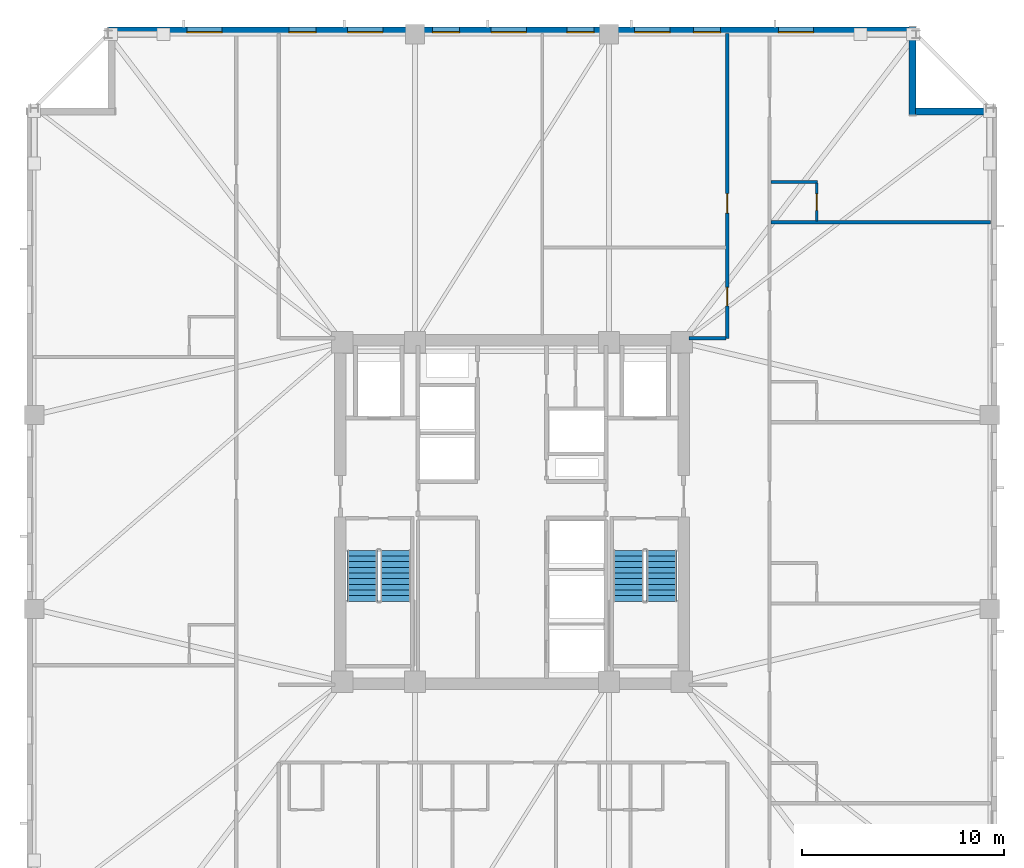
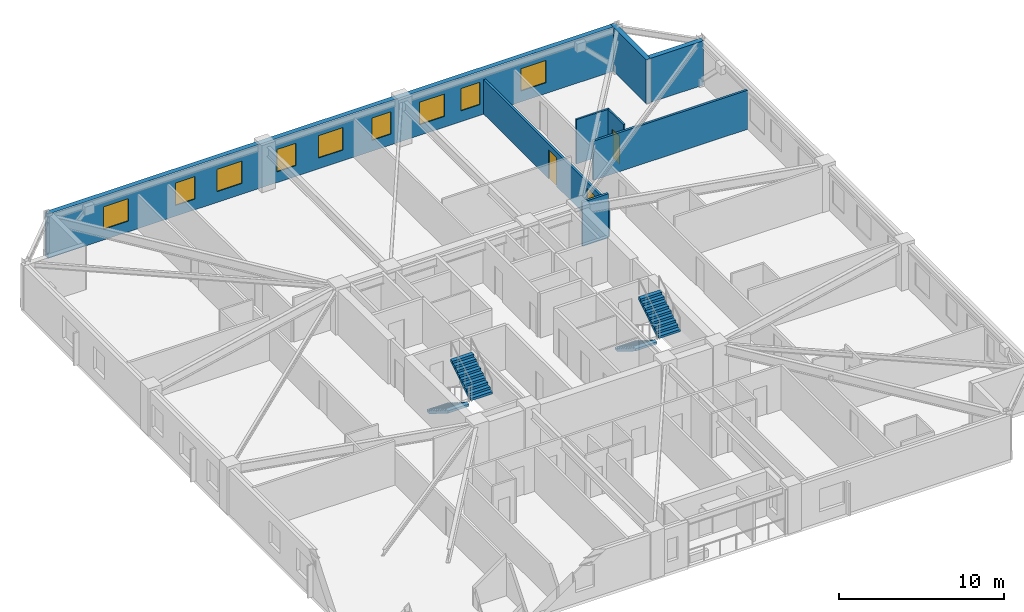
# One storey, part 6 of 11: 9 windows, 8 walls, 4 stair flights, 3 doors, 12 openings, 2 elements without a shape of their own.
"""IFC4 building model written with IfcOpenShell, lengths in metres."""

import ifcopenshell
import ifcopenshell.guid

model = None  # the IFC model being written
_history = None  # IfcOwnerHistory: only IFC2X3 demands one
_inside = {}  # id of a spatial element -> (the spatial element, [elements in it])
_under = {}  # id of a project, library or spatial element -> (it, [spatial elements below it])
_declared = {}  # id of a project -> (the project, [libraries it declares])
_typed = {}  # id of a type object -> (the type object, [elements of that type])
_made_of = {}  # id of a material, layer set ... -> (it, [elements and type objects made of it])


def new_model(schema):
    """Start an empty IFC model of exactly this schema.

    Asked for "IFC4X3", IfcOpenShell would pick the latest addendum, in which some entities
    have other attributes; the version numbers below select the first issue.
    IFC2X3 requires an IfcOwnerHistory on every rooted entity: one is made here for all.
    """
    global model, _history
    if schema == "IFC4X3":
        model = ifcopenshell.file(schema_version=(4, 3, 0, 0))
    else:
        model = ifcopenshell.file(schema=schema)
    _inside.clear()
    _under.clear()
    _declared.clear()
    _typed.clear()
    _made_of.clear()
    _history = None
    if model.schema == "IFC2X3":
        org = make("IfcOrganization", Name="unknown")
        user = make(
            "IfcPersonAndOrganization",
            ThePerson=make("IfcPerson", FamilyName="unknown"),
            TheOrganization=org,
        )
        app = make(
            "IfcApplication",
            ApplicationDeveloper=org,
            Version="unknown",
            ApplicationFullName="unknown",
            ApplicationIdentifier="unknown",
        )
        _history = make(
            "IfcOwnerHistory",
            OwningUser=user,
            OwningApplication=app,
            ChangeAction="ADDED",
            CreationDate=0,
        )
    return model


def make(cls, **values):
    """One entity of the class cls with the attributes given. An attribute that is None is left unset."""
    return model.create_entity(
        cls, **{name: value for name, value in values.items() if value is not None}
    )


def rooted(cls, **values):
    """An entity with a GlobalId (a new one), such as an element, a storey or a relation."""
    return make(cls, GlobalId=ifcopenshell.guid.new(), OwnerHistory=_history, **values)


def si_unit(unit_type, name, prefix=None):
    """IfcSIUnit, for example si_unit("LENGTHUNIT", "METRE", prefix="MILLI")."""
    return make("IfcSIUnit", UnitType=unit_type, Prefix=prefix, Name=name)


def assignment(units):
    """IfcUnitAssignment: the units of a project."""
    return None if units is None else make("IfcUnitAssignment", Units=units)


def point(xyz):
    """IfcCartesianPoint."""
    return None if xyz is None else make("IfcCartesianPoint", Coordinates=xyz)


def direction(xyz):
    """IfcDirection."""
    return None if xyz is None else make("IfcDirection", DirectionRatios=xyz)


def frame(location, z_axis=None, x_axis=None):
    """IfcAxis2Placement3D, a coordinate frame: its origin and axes. An axis left out is left unset."""
    return make(
        "IfcAxis2Placement3D",
        Location=point(location),
        Axis=direction(z_axis),
        RefDirection=direction(x_axis),
    )


def frame_2d(location, x_axis=None):
    """IfcAxis2Placement2D, a coordinate frame in the plane: its origin and x axis."""
    return make(
        "IfcAxis2Placement2D", Location=point(location), RefDirection=direction(x_axis)
    )


def origin():
    """The frame at (0, 0, 0) with its axes left unset."""
    return frame((0.0, 0.0, 0.0))


def place(relative_to, where):
    """IfcLocalPlacement: puts the frame where relative to a parent placement (None: the world)."""
    return make(
        "IfcLocalPlacement", PlacementRelTo=relative_to, RelativePlacement=where
    )


def context(
    kind, dimensions, precision=None, world=None, true_north=None, identifier=None
):
    """IfcGeometricRepresentationContext, for example the 3D "Model" context."""
    return make(
        "IfcGeometricRepresentationContext",
        ContextIdentifier=identifier,
        ContextType=kind,
        CoordinateSpaceDimension=dimensions,
        Precision=precision,
        WorldCoordinateSystem=world,
        TrueNorth=true_north,
    )


def subcontext(parent, identifier, kind, view, scale=None):
    """IfcGeometricRepresentationSubContext, for example "Body" below "Model"."""
    return make(
        "IfcGeometricRepresentationSubContext",
        ContextIdentifier=identifier,
        ContextType=kind,
        ParentContext=parent,
        TargetScale=scale,
        TargetView=view,
    )


def project(units=None, contexts=None):
    """IfcProject with its units and contexts."""
    return rooted(
        "IfcProject",
        Name="project",
        RepresentationContexts=contexts,
        UnitsInContext=assignment(units),
    )


def spatial(cls, under=None, at=None, **own):
    """A site, building, storey or space (cls), placed at a placement, below another one or the project."""
    s = rooted(cls, ObjectPlacement=at, **own)
    if under is not None:
        _under.setdefault(under.id(), (under, []))[1].append(s)
    return s


def polyline(points):
    """IfcPolyline through the points."""
    return make("IfcPolyline", Points=[point(p) for p in points])


def profile(cls, at=None, kind="AREA", **sizes):
    """A parametric profile (cls). Its sizes go by their IFC names, for example OverallWidth=200.0."""
    return make(cls, ProfileType=kind, Position=at, **sizes)


def rectangle(**sizes):
    """IfcRectangleProfileDef."""
    return profile("IfcRectangleProfileDef", **sizes)


def outline(outer, holes=None, kind="AREA"):
    """IfcArbitraryClosedProfileDef: a profile drawn as a closed curve; with holes, ...WithVoids."""
    if holes is None:
        return make("IfcArbitraryClosedProfileDef", ProfileType=kind, OuterCurve=outer)
    return make(
        "IfcArbitraryProfileDefWithVoids",
        ProfileType=kind,
        OuterCurve=outer,
        InnerCurves=holes,
    )


def extrude(swept, where, along, depth):
    """IfcExtrudedAreaSolid: the profile swept, set in the frame where, extruded along a direction by depth."""
    return make(
        "IfcExtrudedAreaSolid",
        SweptArea=swept,
        Position=where,
        ExtrudedDirection=direction(along),
        Depth=depth,
    )


def shape(context_of_items, identifier, shape_type, items):
    """IfcShapeRepresentation: the items that make up one representation, for example the "Body"."""
    return make(
        "IfcShapeRepresentation",
        ContextOfItems=context_of_items,
        RepresentationIdentifier=identifier,
        RepresentationType=shape_type,
        Items=items,
    )


def material(Name=None, Category=None):
    """IfcMaterial."""
    return make("IfcMaterial", Name=Name, Category=Category)


def layer(
    of_material, thickness, ventilated=None, Name=None, Category=None, Priority=None
):
    """IfcMaterialLayer: one layer of a wall or slab, of a material (None: an air gap)."""
    return make(
        "IfcMaterialLayer",
        Material=of_material,
        LayerThickness=thickness,
        IsVentilated=ventilated,
        Name=Name,
        Category=Category,
        Priority=Priority,
    )


def layer_set(layers, Name=None):
    """IfcMaterialLayerSet."""
    return make("IfcMaterialLayerSet", MaterialLayers=layers, LayerSetName=Name)


def made_of(thing, what):
    """Note that an element or type object is made of a material, layer set ...; save() writes the relation."""
    if what is not None:
        _made_of.setdefault(what.id(), (what, []))[1].append(thing)
    return thing


def type_object(cls, material=None, **own):
    """A type object (cls), such as IfcWallType, which elements share."""
    return made_of(rooted(cls, **own), material)


def element(
    cls,
    number,
    at=None,
    inside=None,
    cuts=None,
    type_object=None,
    material=None,
    context=None,
    identifier="Body",
    shape_type=None,
    held_by="IfcProductDefinitionShape",
    body=None,
    shapes=None,
    **own,
):
    """One element of the class cls, such as IfcWall. Its Tag is "e" and its number.

    at: its placement. inside: the storey or other place that contains it. cuts: it is an
    opening in that element (IfcRelVoidsElement). A single representation is given by context,
    identifier, shape_type and body (its items); several are given by shapes. held_by: the class
    of the entity that holds the representations. save() writes the other relations.
    """
    e = rooted(cls, Tag="e%d" % number, ObjectPlacement=at, **own)
    if body is not None:
        shapes = [shape(context, identifier, shape_type, body)]
    if shapes is not None:
        e.Representation = make(held_by, Representations=shapes)
    if inside is not None:
        _inside.setdefault(inside.id(), (inside, []))[1].append(e)
    if cuts is not None:
        rooted(
            "IfcRelVoidsElement", RelatingBuildingElement=cuts, RelatedOpeningElement=e
        )
    if type_object is not None:
        _typed.setdefault(type_object.id(), (type_object, []))[1].append(e)
    return made_of(e, material)


def fill(opening, filler):
    """IfcRelFillsElement: the door or window that sits in an opening."""
    return rooted(
        "IfcRelFillsElement",
        RelatingOpeningElement=opening,
        RelatedBuildingElement=filler,
    )


def aggregate(whole, parts):
    """IfcRelAggregates: a whole, such as a stair, and the parts it consists of."""
    return rooted("IfcRelAggregates", RelatingObject=whole, RelatedObjects=parts)


def save(model, path):
    """Write the relations noted so far, then the file.

    IfcRelAggregates (storeys below a building ...), IfcRelContainedInSpatialStructure (elements
    in a storey), IfcRelDefinesByType, IfcRelAssociatesMaterial and IfcRelDeclares: one each for
    every whole, place, type object, material and project.
    """
    for whole, parts in _under.values():
        aggregate(whole, parts)
    for where, things in _inside.values():
        rooted(
            "IfcRelContainedInSpatialStructure",
            RelatedElements=things,
            RelatingStructure=where,
        )
    for kind, things in _typed.values():
        rooted("IfcRelDefinesByType", RelatedObjects=things, RelatingType=kind)
    for what, things in _made_of.values():
        rooted("IfcRelAssociatesMaterial", RelatedObjects=things, RelatingMaterial=what)
    for by, libraries in _declared.values():
        rooted("IfcRelDeclares", RelatingContext=by, RelatedDefinitions=libraries)
    model.write(path)


model = new_model("IFC4")

# Units and contexts
model_context = context("Model", 3, precision=1e-05, world=origin(), true_north=direction((0.0, 1.0)))
body_context = subcontext(model_context, "Body", "Model", "MODEL_VIEW")
ifc_project = project(units=[si_unit("LENGTHUNIT", "METRE"), si_unit("AREAUNIT", "SQUARE_METRE"), si_unit("VOLUMEUNIT", "CUBIC_METRE"), si_unit("PLANEANGLEUNIT", "RADIAN"), si_unit("MASSUNIT", "GRAM", prefix="KILO")], contexts=[model_context])

# Site, building, storey
site_placement = place(None, origin())
site = spatial("IfcSite", under=ifc_project, at=site_placement, CompositionType="ELEMENT")
building_placement = place(site_placement, origin())
building = spatial("IfcBuilding", under=site, at=building_placement, Name="Cairnveth Concourse Tower", CompositionType="ELEMENT")
storey_placement = place(building_placement, frame((0.0, 0.0, 158.5)))
storey = spatial("IfcBuildingStorey", under=building, at=storey_placement, Name="L43", CompositionType="ELEMENT", Elevation=158.5)

# Wall, openings, doors
ifc_material_1 = material(Name="Gypsum Plasterboard Partition", Category="gypsum")
ifc_layer_1 = layer(ifc_material_1, 0.159912109375)
ifc_layer_set_1 = layer_set([ifc_layer_1], Name="Gypsum Plasterboard Partition")
wall_type_1 = type_object("IfcWallType", Name="ACOUSTIC PARTY WALL 180", PredefinedType="PARTITIONING", material=ifc_layer_set_1)
wall_1_placement = place(storey_placement, frame((62.64990234375, 47.60009765625, 0.0), z_axis=(0.0, 0.0, 1.0), x_axis=(0.0, 1.0, 0.0)))
wall_1 = element("IfcWall", 1, at=wall_1_placement, inside=storey, type_object=wall_type_1, Name="Interior Wall IW-L43-043", PredefinedType="PARTITIONING", context=body_context, shape_type="SweptSolid", body=[
    extrude(rectangle(XDim=15.074951171875, YDim=0.159912109375, at=frame_2d((7.53759765625, 0.0))), origin(), (0.0, 0.0, 1.0), 2.554931640625),
])
opening_1_placement = place(wall_1_placement, frame((1.60009765625, 0.0, 0.0)))
opening_1 = element("IfcOpeningElement", 2, at=opening_1_placement, cuts=wall_1, Name="Opening ID15", PredefinedType="OPENING", context=body_context, shape_type="SweptSolid", body=[
    extrude(rectangle(XDim=0.919921875, YDim=2.1201171875, at=frame_2d((0.4599609375, 1.06005859375))), frame((0.0, 0.08984375, 0.0), z_axis=(0.0, -1.0, 0.0), x_axis=(1.0, 0.0, 0.0)), (0.0, 0.0, 1.0), 0.179931640625),
])
opening_2_placement = place(wall_1_placement, frame((6.199951171875, 0.0, 0.0)))
opening_2 = element("IfcOpeningElement", 3, at=opening_2_placement, cuts=wall_1, Name="Opening ID11", PredefinedType="OPENING", context=body_context, shape_type="SweptSolid", body=[
    extrude(rectangle(XDim=0.9599609375, YDim=2.1201171875, at=frame_2d((0.47998046875, 1.06005859375))), frame((0.0, 0.08984375, 0.0), z_axis=(0.0, -1.0, 0.0), x_axis=(1.0, 0.0, 0.0)), (0.0, 0.0, 1.0), 0.179931640625),
])
ifc_material_2 = material(Name="Solid Core Hardwood Timber Leaf", Category="wood")
door_type_1 = type_object("IfcDoorType", Name="INTERIOR SINGLE DOOR 920X2100", OperationType="NOTDEFINED", PredefinedType="DOOR", material=ifc_material_2)
door_1_placement = place(opening_1_placement, origin())
door_1 = element("IfcDoor", 4, at=door_1_placement, inside=storey, type_object=door_type_1, Name="Interior Door DR-L43-016", OperationType="SINGLE_SWING_RIGHT", OverallHeight=2.1201171875, OverallWidth=0.919921875, PredefinedType="DOOR", context=body_context, shape_type="SweptSolid", body=[
    extrude(rectangle(XDim=0.919921875, YDim=2.1201171875, at=frame_2d((0.4599609375, 1.06005859375))), frame((0.0, 0.02490234375, 0.0), z_axis=(0.0, -1.0, 0.0), x_axis=(1.0, 0.0, 0.0)), (0.0, 0.0, 1.0), 0.050048828125),
])
fill(opening_1, door_1)
door_type_2 = type_object("IfcDoorType", Name="INTERIOR SINGLE DOOR 960X2150", OperationType="NOTDEFINED", PredefinedType="DOOR", material=ifc_material_2)
door_2_placement = place(opening_2_placement, origin())
door_2 = element("IfcDoor", 5, at=door_2_placement, inside=storey, type_object=door_type_2, Name="Interior Door DR-L43-017", OperationType="SINGLE_SWING_LEFT", OverallHeight=2.1201171875, OverallWidth=0.9599609375, PredefinedType="DOOR", context=body_context, shape_type="SweptSolid", body=[
    extrude(rectangle(XDim=0.9599609375, YDim=2.1201171875, at=frame_2d((0.47998046875, 1.06005859375))), frame((0.0, 0.02490234375, 0.0), z_axis=(0.0, -1.0, 0.0), x_axis=(1.0, 0.0, 0.0)), (0.0, 0.0, 1.0), 0.050048828125),
])
fill(opening_2, door_2)

# Walls
wall_2_placement = place(storey_placement, frame((60.764892578125, 47.60009765625, 0.0), z_axis=(0.0, 0.0, 1.0), x_axis=(1.0, 0.0, 0.0)))
element("IfcWall", 6, at=wall_2_placement, inside=storey, type_object=wall_type_1, Name="Interior Wall IW-L43-045", PredefinedType="PARTITIONING", context=body_context, shape_type="SweptSolid", body=[
    extrude(rectangle(XDim=1.820068359375, YDim=0.159912109375, at=frame_2d((0.91015625, 0.0))), origin(), (0.0, 0.0, 1.0), 3.280029296875),
])
wall_3_placement = place(storey_placement, frame((64.830078125, 53.338134765625, 0.0), z_axis=(0.0, 0.0, 1.0), x_axis=(1.0, 0.0, 0.0)))
element("IfcWall", 7, at=wall_3_placement, inside=storey, type_object=wall_type_1, Name="Interior Wall IW-L43-085", PredefinedType="PARTITIONING", context=body_context, shape_type="SweptSolid", body=[
    extrude(rectangle(XDim=10.844970703125, YDim=0.159912109375, at=frame_2d((5.42236328125, 0.0))), origin(), (0.0, 0.0, 1.0), 2.89599609375),
])
ifc_layer_2 = layer(ifc_material_1, 0.1298828125)
ifc_layer_set_2 = layer_set([ifc_layer_2], Name="Gypsum Plasterboard Partition")
wall_type_2 = type_object("IfcWallType", Name="WET AREA PARTITION 140", PredefinedType="PLUMBINGWALL", material=ifc_layer_set_2)
wall_4_placement = place(storey_placement, frame((64.81494140625, 55.338134765625, 0.0), z_axis=(0.0, 0.0, 1.0), x_axis=(1.0, 0.0, 0.0)))
element("IfcWall", 8, at=wall_4_placement, inside=storey, type_object=wall_type_2, Name="Interior Wall IW-L43-086", PredefinedType="PLUMBINGWALL", context=body_context, shape_type="SweptSolid", body=[
    extrude(rectangle(XDim=2.31494140625, YDim=0.1298828125, at=frame_2d((1.157470703125, 0.0))), origin(), (0.0, 0.0, 1.0), 3.280029296875),
])

# Wall, opening, door
wall_5_placement = place(storey_placement, frame((67.080078125, 53.403076171875, 0.0), z_axis=(0.0, 0.0, 1.0), x_axis=(0.0, 1.0, 0.0)))
wall_5 = element("IfcWall", 9, at=wall_5_placement, inside=storey, type_object=wall_type_2, Name="Interior Wall IW-L43-087", PredefinedType="PLUMBINGWALL", context=body_context, shape_type="SweptSolid", body=[
    extrude(rectangle(XDim=1.885009765625, YDim=0.1298828125, at=frame_2d((0.9423828125, 0.0))), origin(), (0.0, 0.0, 1.0), 3.280029296875),
])
opening_3_placement = place(wall_5_placement, frame((0.52490234375, 0.0, 0.0)))
opening_3 = element("IfcOpeningElement", 10, at=opening_3_placement, cuts=wall_5, Name="Opening ID22", PredefinedType="OPENING", context=body_context, shape_type="SweptSolid", body=[
    extrude(rectangle(XDim=0.820068359375, YDim=2.10009765625, at=frame_2d((0.41015625, 1.050048828125))), frame((0.0, 0.074951171875, 0.0), z_axis=(0.0, -1.0, 0.0), x_axis=(1.0, 0.0, 0.0)), (0.0, 0.0, 1.0), 0.14990234375),
])
door_type_3 = type_object("IfcDoorType", Name="INTERIOR WC DOOR 820X2100", OperationType="NOTDEFINED", PredefinedType="DOOR", material=ifc_material_2)
door_3_placement = place(opening_3_placement, origin())
door_3 = element("IfcDoor", 11, at=door_3_placement, inside=storey, type_object=door_type_3, Name="En-Suite Door L43-E5", OperationType="SINGLE_SWING_RIGHT", OverallHeight=2.10009765625, OverallWidth=0.820068359375, PredefinedType="DOOR", context=body_context, shape_type="SweptSolid", body=[
    extrude(rectangle(XDim=0.820068359375, YDim=2.10009765625, at=frame_2d((0.41015625, 1.050048828125))), frame((0.0, 0.02490234375, 0.0), z_axis=(0.0, -1.0, 0.0), x_axis=(1.0, 0.0, 0.0)), (0.0, 0.0, 1.0), 0.050048828125),
])
fill(opening_3, door_3)

# Wall, openings, windows
ifc_material_3 = material(Name="Hawthorn Red-Ochre Fired Clay Brick Masonry", Category="masonry")
ifc_layer_3 = layer(ifc_material_3, 0.340087890625)
ifc_layer_set_3 = layer_set([ifc_layer_3], Name="Hawthorn Red-Ochre Fired Clay Brick Masonry")
wall_type_3 = type_object("IfcWallType", Name="ZONE 2 BRICK PIER SPANDREL WALL 340", PredefinedType="SOLIDWALL", material=ifc_layer_set_3)
wall_6_placement = place(storey_placement, frame((32.0, 62.830078125, 0.0), z_axis=(0.0, 0.0, 1.0), x_axis=(1.0, 0.0, 0.0)))
wall_6 = element("IfcWall", 12, at=wall_6_placement, inside=storey, type_object=wall_type_3, Name="Exterior Wall EW-L43-S06", PredefinedType="SOLIDWALL", context=body_context, shape_type="SweptSolid", body=[
    extrude(rectangle(XDim=39.681884765625, YDim=0.340087890625, at=frame_2d((19.8408203125, 0.0))), origin(), (0.0, 0.0, 1.0), 3.280029296875),
])
opening_4_placement = place(wall_6_placement, frame((3.90185546875, 0.0, 0.800048828125)))
opening_4 = element("IfcOpeningElement", 13, at=opening_4_placement, cuts=wall_6, Name="Opening W06", PredefinedType="OPENING", context=body_context, shape_type="SweptSolid", body=[
    extrude(rectangle(XDim=1.75, YDim=1.659912109375, at=frame_2d((0.875, 0.830078125))), frame((0.0, 0.179931640625, 0.0), z_axis=(0.0, -1.0, 0.0), x_axis=(1.0, 0.0, 0.0)), (0.0, 0.0, 1.0), 0.360107421875),
])
opening_5_placement = place(wall_6_placement, frame((8.955322265625, 0.0, 0.800048828125)))
opening_5 = element("IfcOpeningElement", 14, at=opening_5_placement, cuts=wall_6, Name="Opening W02", PredefinedType="OPENING", context=body_context, shape_type="SweptSolid", body=[
    extrude(rectangle(XDim=1.35009765625, YDim=1.659912109375, at=frame_2d((0.675048828125, 0.830078125))), frame((0.0, 0.179931640625, 0.0), z_axis=(0.0, -1.0, 0.0), x_axis=(1.0, 0.0, 0.0)), (0.0, 0.0, 1.0), 0.360107421875),
])
opening_6_placement = place(wall_6_placement, frame((11.85888671875, 0.0, 0.800048828125)))
opening_6 = element("IfcOpeningElement", 15, at=opening_6_placement, cuts=wall_6, Name="Opening W06", PredefinedType="OPENING", context=body_context, shape_type="SweptSolid", body=[
    extrude(rectangle(XDim=1.75, YDim=1.659912109375, at=frame_2d((0.875, 0.830078125))), frame((0.0, 0.179931640625, 0.0), z_axis=(0.0, -1.0, 0.0), x_axis=(1.0, 0.0, 0.0)), (0.0, 0.0, 1.0), 0.360107421875),
])
opening_7_placement = place(wall_6_placement, frame((16.0625, 0.0, 0.800048828125)))
opening_7 = element("IfcOpeningElement", 16, at=opening_7_placement, cuts=wall_6, Name="Opening W02", PredefinedType="OPENING", context=body_context, shape_type="SweptSolid", body=[
    extrude(rectangle(XDim=1.35009765625, YDim=1.659912109375, at=frame_2d((0.675048828125, 0.830078125))), frame((0.0, 0.179931640625, 0.0), z_axis=(0.0, -1.0, 0.0), x_axis=(1.0, 0.0, 0.0)), (0.0, 0.0, 1.0), 0.360107421875),
])
opening_8_placement = place(wall_6_placement, frame((18.966064453125, 0.0, 0.800048828125)))
opening_8 = element("IfcOpeningElement", 17, at=opening_8_placement, cuts=wall_6, Name="Opening W06", PredefinedType="OPENING", context=body_context, shape_type="SweptSolid", body=[
    extrude(rectangle(XDim=1.75, YDim=1.659912109375, at=frame_2d((0.875, 0.830078125))), frame((0.0, 0.179931640625, 0.0), z_axis=(0.0, -1.0, 0.0), x_axis=(1.0, 0.0, 0.0)), (0.0, 0.0, 1.0), 0.360107421875),
])
opening_9_placement = place(wall_6_placement, frame((22.719482421875, 0.0, 0.800048828125)))
opening_9 = element("IfcOpeningElement", 18, at=opening_9_placement, cuts=wall_6, Name="Opening W02", PredefinedType="OPENING", context=body_context, shape_type="SweptSolid", body=[
    extrude(rectangle(XDim=1.35009765625, YDim=1.659912109375, at=frame_2d((0.675048828125, 0.830078125))), frame((0.0, 0.179931640625, 0.0), z_axis=(0.0, -1.0, 0.0), x_axis=(1.0, 0.0, 0.0)), (0.0, 0.0, 1.0), 0.360107421875),
])
opening_10_placement = place(wall_6_placement, frame((26.072998046875, 0.0, 0.800048828125)))
opening_10 = element("IfcOpeningElement", 19, at=opening_10_placement, cuts=wall_6, Name="Opening W06", PredefinedType="OPENING", context=body_context, shape_type="SweptSolid", body=[
    extrude(rectangle(XDim=1.75, YDim=1.659912109375, at=frame_2d((0.875, 0.830078125))), frame((0.0, 0.179931640625, 0.0), z_axis=(0.0, -1.0, 0.0), x_axis=(1.0, 0.0, 0.0)), (0.0, 0.0, 1.0), 0.360107421875),
])
opening_11_placement = place(wall_6_placement, frame((28.976806640625, 0.0, 0.800048828125)))
opening_11 = element("IfcOpeningElement", 20, at=opening_11_placement, cuts=wall_6, Name="Opening W02", PredefinedType="OPENING", context=body_context, shape_type="SweptSolid", body=[
    extrude(rectangle(XDim=1.35009765625, YDim=1.659912109375, at=frame_2d((0.675048828125, 0.830078125))), frame((0.0, 0.179931640625, 0.0), z_axis=(0.0, -1.0, 0.0), x_axis=(1.0, 0.0, 0.0)), (0.0, 0.0, 1.0), 0.360107421875),
])
opening_12_placement = place(wall_6_placement, frame((33.18017578125, 0.0, 0.800048828125)))
opening_12 = element("IfcOpeningElement", 21, at=opening_12_placement, cuts=wall_6, Name="Opening W06", PredefinedType="OPENING", context=body_context, shape_type="SweptSolid", body=[
    extrude(rectangle(XDim=1.75, YDim=1.659912109375, at=frame_2d((0.875, 0.830078125))), frame((0.0, 0.179931640625, 0.0), z_axis=(0.0, -1.0, 0.0), x_axis=(1.0, 0.0, 0.0)), (0.0, 0.0, 1.0), 0.360107421875),
])
ifc_material_4 = material(Name="Double Glazed Low-E Clear Glass", Category="glass")
window_type_1 = type_object("IfcWindowType", Name="DEEP-SET GOTHIC LANCET WINDOW 1350X1800", PartitioningType="DOUBLE_PANEL_VERTICAL", PredefinedType="WINDOW", material=ifc_material_4)
window_1_placement = place(opening_5_placement, origin())
window_1 = element("IfcWindow", 22, at=window_1_placement, inside=storey, type_object=window_type_1, Name="Gothic Lancet Window L43-6-2", OverallHeight=1.659912109375, OverallWidth=1.35009765625, PartitioningType="SINGLE_PANEL", PredefinedType="WINDOW", context=body_context, shape_type="SweptSolid", body=[
    extrude(rectangle(XDim=1.35009765625, YDim=1.659912109375, at=frame_2d((0.675048828125, 0.830078125))), frame((0.0, -0.050048828125, 0.0), z_axis=(0.0, -1.0, 0.0), x_axis=(1.0, 0.0, 0.0)), (0.0, 0.0, 1.0), 0.06005859375),
])
fill(opening_5, window_1)
window_2_placement = place(opening_7_placement, origin())
window_2 = element("IfcWindow", 23, at=window_2_placement, inside=storey, type_object=window_type_1, Name="Gothic Lancet Window L43-6-4", OverallHeight=1.659912109375, OverallWidth=1.35009765625, PartitioningType="SINGLE_PANEL", PredefinedType="WINDOW", context=body_context, shape_type="SweptSolid", body=[
    extrude(rectangle(XDim=1.35009765625, YDim=1.659912109375, at=frame_2d((0.675048828125, 0.830078125))), frame((0.0, -0.050048828125, 0.0), z_axis=(0.0, -1.0, 0.0), x_axis=(1.0, 0.0, 0.0)), (0.0, 0.0, 1.0), 0.06005859375),
])
fill(opening_7, window_2)
window_3_placement = place(opening_9_placement, origin())
window_3 = element("IfcWindow", 24, at=window_3_placement, inside=storey, type_object=window_type_1, Name="Gothic Lancet Window L43-6-6", OverallHeight=1.659912109375, OverallWidth=1.35009765625, PartitioningType="SINGLE_PANEL", PredefinedType="WINDOW", context=body_context, shape_type="SweptSolid", body=[
    extrude(rectangle(XDim=1.35009765625, YDim=1.659912109375, at=frame_2d((0.675048828125, 0.830078125))), frame((0.0, -0.050048828125, 0.0), z_axis=(0.0, -1.0, 0.0), x_axis=(1.0, 0.0, 0.0)), (0.0, 0.0, 1.0), 0.06005859375),
])
fill(opening_9, window_3)
window_4_placement = place(opening_11_placement, origin())
window_4 = element("IfcWindow", 25, at=window_4_placement, inside=storey, type_object=window_type_1, Name="Gothic Lancet Window L43-6-8", OverallHeight=1.659912109375, OverallWidth=1.35009765625, PartitioningType="SINGLE_PANEL", PredefinedType="WINDOW", context=body_context, shape_type="SweptSolid", body=[
    extrude(rectangle(XDim=1.35009765625, YDim=1.659912109375, at=frame_2d((0.675048828125, 0.830078125))), frame((0.0, -0.050048828125, 0.0), z_axis=(0.0, -1.0, 0.0), x_axis=(1.0, 0.0, 0.0)), (0.0, 0.0, 1.0), 0.06005859375),
])
fill(opening_11, window_4)
window_type_2 = type_object("IfcWindowType", Name="DEEP-SET HOTEL SUITE WINDOW 1750X1800", PartitioningType="DOUBLE_PANEL_VERTICAL", PredefinedType="WINDOW", material=ifc_material_4)
window_5_placement = place(opening_4_placement, origin())
window_5 = element("IfcWindow", 26, at=window_5_placement, inside=storey, type_object=window_type_2, Name="Gothic Lancet Window L43-6-1", OverallHeight=1.659912109375, OverallWidth=1.75, PartitioningType="SINGLE_PANEL", PredefinedType="WINDOW", context=body_context, shape_type="SweptSolid", body=[
    extrude(rectangle(XDim=1.75, YDim=1.659912109375, at=frame_2d((0.875, 0.830078125))), frame((0.0, -0.050048828125, 0.0), z_axis=(0.0, -1.0, 0.0), x_axis=(1.0, 0.0, 0.0)), (0.0, 0.0, 1.0), 0.06005859375),
])
fill(opening_4, window_5)
window_6_placement = place(opening_6_placement, origin())
window_6 = element("IfcWindow", 27, at=window_6_placement, inside=storey, type_object=window_type_2, Name="Gothic Lancet Window L43-6-3", OverallHeight=1.659912109375, OverallWidth=1.75, PartitioningType="SINGLE_PANEL", PredefinedType="WINDOW", context=body_context, shape_type="SweptSolid", body=[
    extrude(rectangle(XDim=1.75, YDim=1.659912109375, at=frame_2d((0.875, 0.830078125))), frame((0.0, -0.050048828125, 0.0), z_axis=(0.0, -1.0, 0.0), x_axis=(1.0, 0.0, 0.0)), (0.0, 0.0, 1.0), 0.06005859375),
])
fill(opening_6, window_6)
window_7_placement = place(opening_8_placement, origin())
window_7 = element("IfcWindow", 28, at=window_7_placement, inside=storey, type_object=window_type_2, Name="Gothic Lancet Window L43-6-5", OverallHeight=1.659912109375, OverallWidth=1.75, PartitioningType="SINGLE_PANEL", PredefinedType="WINDOW", context=body_context, shape_type="SweptSolid", body=[
    extrude(rectangle(XDim=1.75, YDim=1.659912109375, at=frame_2d((0.875, 0.830078125))), frame((0.0, -0.050048828125, 0.0), z_axis=(0.0, -1.0, 0.0), x_axis=(1.0, 0.0, 0.0)), (0.0, 0.0, 1.0), 0.06005859375),
])
fill(opening_8, window_7)
window_8_placement = place(opening_10_placement, origin())
window_8 = element("IfcWindow", 29, at=window_8_placement, inside=storey, type_object=window_type_2, Name="Gothic Lancet Window L43-6-7", OverallHeight=1.659912109375, OverallWidth=1.75, PartitioningType="SINGLE_PANEL", PredefinedType="WINDOW", context=body_context, shape_type="SweptSolid", body=[
    extrude(rectangle(XDim=1.75, YDim=1.659912109375, at=frame_2d((0.875, 0.830078125))), frame((0.0, -0.050048828125, 0.0), z_axis=(0.0, -1.0, 0.0), x_axis=(1.0, 0.0, 0.0)), (0.0, 0.0, 1.0), 0.06005859375),
])
fill(opening_10, window_8)
window_9_placement = place(opening_12_placement, origin())
window_9 = element("IfcWindow", 30, at=window_9_placement, inside=storey, type_object=window_type_2, Name="Gothic Lancet Window L43-6-9", OverallHeight=1.659912109375, OverallWidth=1.75, PartitioningType="SINGLE_PANEL", PredefinedType="WINDOW", context=body_context, shape_type="SweptSolid", body=[
    extrude(rectangle(XDim=1.75, YDim=1.659912109375, at=frame_2d((0.875, 0.830078125))), frame((0.0, -0.050048828125, 0.0), z_axis=(0.0, -1.0, 0.0), x_axis=(1.0, 0.0, 0.0)), (0.0, 0.0, 1.0), 0.06005859375),
])
fill(opening_12, window_9)

# Walls
wall_7_placement = place(storey_placement, frame((71.830078125, 63.0, 0.0), z_axis=(0.0, 0.0, 1.0), x_axis=(0.0, -1.0, 0.0)))
element("IfcWall", 31, at=wall_7_placement, inside=storey, type_object=wall_type_3, Name="Exterior Wall EW-L43-S07", PredefinedType="SOLIDWALL", context=body_context, shape_type="SweptSolid", body=[
    extrude(rectangle(XDim=4.340087890625, YDim=0.340087890625, at=frame_2d((2.169921875, 0.0))), origin(), (0.0, 0.0, 1.0), 3.280029296875),
])
wall_8_placement = place(storey_placement, frame((71.97802734375, 58.830078125, 0.0), z_axis=(0.0, 0.0, 1.0), x_axis=(1.0, 0.0, 0.0)))
element("IfcWall", 32, at=wall_8_placement, inside=storey, type_object=wall_type_3, Name="Exterior Wall EW-L43-S08", PredefinedType="SOLIDWALL", context=body_context, shape_type="SweptSolid", body=[
    extrude(rectangle(XDim=3.703857421875, YDim=0.340087890625, at=frame_2d((1.85205078125, 0.0))), origin(), (0.0, 0.0, 1.0), 3.280029296875),
])

# Stair, stair flights
ifc_material_5 = material(Name="Precast concrete N50 (50 MPa)", Category="concrete")
stair_type = type_object("IfcStairType", Name="CORE DOG-LEG FIRE STAIR 1500", PredefinedType="HALF_TURN_STAIR", material=ifc_material_5)
stair_1_placement = place(storey_placement, origin())
stair_1 = element("IfcStair", 33, at=stair_1_placement, inside=storey, type_object=stair_type, Name="L43 Fire-Isolated Stair ST-1", PredefinedType="HALF_TURN_STAIR")
stair_flight_type = type_object("IfcStairFlightType", Name="PRECAST CONCRETE STAIR FLIGHT 1500", PredefinedType="STRAIGHT", material=ifc_material_5)
stair_flight_1_placement = place(storey_placement, frame((44.590087890625, 37.10009765625, 0.0), z_axis=(0.0, 0.0, 1.0), x_axis=(0.0, -1.0, 0.0)))
stair_flight_1 = element("IfcStairFlight", 34, at=stair_flight_1_placement, type_object=stair_flight_type, Name="ST-1 flight 1", NumberOfRisers=10, NumberOfTreads=9, PredefinedType="STRAIGHT", RiserHeight=0.175, TreadLength=0.28, context=body_context, shape_type="SweptSolid", body=[
    extrude(outline(polyline([(0.0, 0.0), (0.0, 0.175048828125), (0.280029296875, 0.175048828125), (0.280029296875, 0.35009765625), (0.56005859375, 0.35009765625), (0.56005859375, 0.52490234375), (0.840087890625, 0.52490234375), (0.840087890625, 0.699951171875), (1.1201171875, 0.699951171875), (1.1201171875, 0.875), (1.39990234375, 0.875), (1.39990234375, 1.050048828125), (1.679931640625, 1.050048828125), (1.679931640625, 1.22509765625), (1.9599609375, 1.22509765625), (1.9599609375, 1.39990234375), (2.239990234375, 1.39990234375), (2.239990234375, 1.574951171875), (2.52001953125, 1.574951171875), (2.52001953125, 1.75), (2.52001953125, 1.398193359375), (0.28271484375, 0.0), (0.0, 0.0)])), frame((0.0, 0.75, 0.0), z_axis=(0.0, -1.0, 0.0), x_axis=(1.0, 0.0, 0.0)), (0.0, 0.0, 1.0), 1.5),
])
stair_flight_2_placement = place(storey_placement, frame((46.22998046875, 34.580078125, 1.75), z_axis=(0.0, 0.0, 1.0), x_axis=(0.0, 1.0, 0.0)))
stair_flight_2 = element("IfcStairFlight", 35, at=stair_flight_2_placement, type_object=stair_flight_type, Name="ST-1 flight 2", NumberOfRisers=10, NumberOfTreads=9, PredefinedType="STRAIGHT", RiserHeight=0.175, TreadLength=0.28, context=body_context, shape_type="SweptSolid", body=[
    extrude(outline(polyline([(0.0, 0.0), (0.0, 0.175048828125), (0.280029296875, 0.175048828125), (0.280029296875, 0.35009765625), (0.56005859375, 0.35009765625), (0.56005859375, 0.52490234375), (0.840087890625, 0.52490234375), (0.840087890625, 0.699951171875), (1.1201171875, 0.699951171875), (1.1201171875, 0.875), (1.39990234375, 0.875), (1.39990234375, 1.050048828125), (1.679931640625, 1.050048828125), (1.679931640625, 1.22509765625), (1.9599609375, 1.22509765625), (1.9599609375, 1.39990234375), (2.239990234375, 1.39990234375), (2.239990234375, 1.574951171875), (2.52001953125, 1.574951171875), (2.52001953125, 1.75), (2.52001953125, 1.398193359375), (0.28271484375, 0.0), (0.0, 0.0)])), frame((0.0, 0.75, 0.0), z_axis=(0.0, -1.0, 0.0), x_axis=(1.0, 0.0, 0.0)), (0.0, 0.0, 1.0), 1.5),
])
aggregate(stair_1, [stair_flight_1, stair_flight_2])

stair_2_placement = place(storey_placement, origin())
stair_2 = element("IfcStair", 36, at=stair_2_placement, inside=storey, type_object=stair_type, Name="L43 Fire-Isolated Stair ST-2", PredefinedType="HALF_TURN_STAIR")
stair_flight_3_placement = place(storey_placement, frame((57.77001953125, 37.10009765625, 0.0), z_axis=(0.0, 0.0, 1.0), x_axis=(0.0, -1.0, 0.0)))
stair_flight_3 = element("IfcStairFlight", 37, at=stair_flight_3_placement, type_object=stair_flight_type, Name="ST-2 flight 1", NumberOfRisers=10, NumberOfTreads=9, PredefinedType="STRAIGHT", RiserHeight=0.175, TreadLength=0.28, context=body_context, shape_type="SweptSolid", body=[
    extrude(outline(polyline([(0.0, 0.0), (0.0, 0.175048828125), (0.280029296875, 0.175048828125), (0.280029296875, 0.35009765625), (0.56005859375, 0.35009765625), (0.56005859375, 0.52490234375), (0.840087890625, 0.52490234375), (0.840087890625, 0.699951171875), (1.1201171875, 0.699951171875), (1.1201171875, 0.875), (1.39990234375, 0.875), (1.39990234375, 1.050048828125), (1.679931640625, 1.050048828125), (1.679931640625, 1.22509765625), (1.9599609375, 1.22509765625), (1.9599609375, 1.39990234375), (2.239990234375, 1.39990234375), (2.239990234375, 1.574951171875), (2.52001953125, 1.574951171875), (2.52001953125, 1.75), (2.52001953125, 1.398193359375), (0.28271484375, 0.0), (0.0, 0.0)])), frame((0.0, 0.75, 0.0), z_axis=(0.0, -1.0, 0.0), x_axis=(1.0, 0.0, 0.0)), (0.0, 0.0, 1.0), 1.5),
])
stair_flight_4_placement = place(storey_placement, frame((59.409912109375, 34.580078125, 1.75), z_axis=(0.0, 0.0, 1.0), x_axis=(0.0, 1.0, 0.0)))
stair_flight_4 = element("IfcStairFlight", 38, at=stair_flight_4_placement, type_object=stair_flight_type, Name="ST-2 flight 2", NumberOfRisers=10, NumberOfTreads=9, PredefinedType="STRAIGHT", RiserHeight=0.175, TreadLength=0.28, context=body_context, shape_type="SweptSolid", body=[
    extrude(outline(polyline([(0.0, 0.0), (0.0, 0.175048828125), (0.280029296875, 0.175048828125), (0.280029296875, 0.35009765625), (0.56005859375, 0.35009765625), (0.56005859375, 0.52490234375), (0.840087890625, 0.52490234375), (0.840087890625, 0.699951171875), (1.1201171875, 0.699951171875), (1.1201171875, 0.875), (1.39990234375, 0.875), (1.39990234375, 1.050048828125), (1.679931640625, 1.050048828125), (1.679931640625, 1.22509765625), (1.9599609375, 1.22509765625), (1.9599609375, 1.39990234375), (2.239990234375, 1.39990234375), (2.239990234375, 1.574951171875), (2.52001953125, 1.574951171875), (2.52001953125, 1.75), (2.52001953125, 1.398193359375), (0.28271484375, 0.0), (0.0, 0.0)])), frame((0.0, 0.75, 0.0), z_axis=(0.0, -1.0, 0.0), x_axis=(1.0, 0.0, 0.0)), (0.0, 0.0, 1.0), 1.5),
])
aggregate(stair_2, [stair_flight_3, stair_flight_4])

save(model, "model.ifc")
